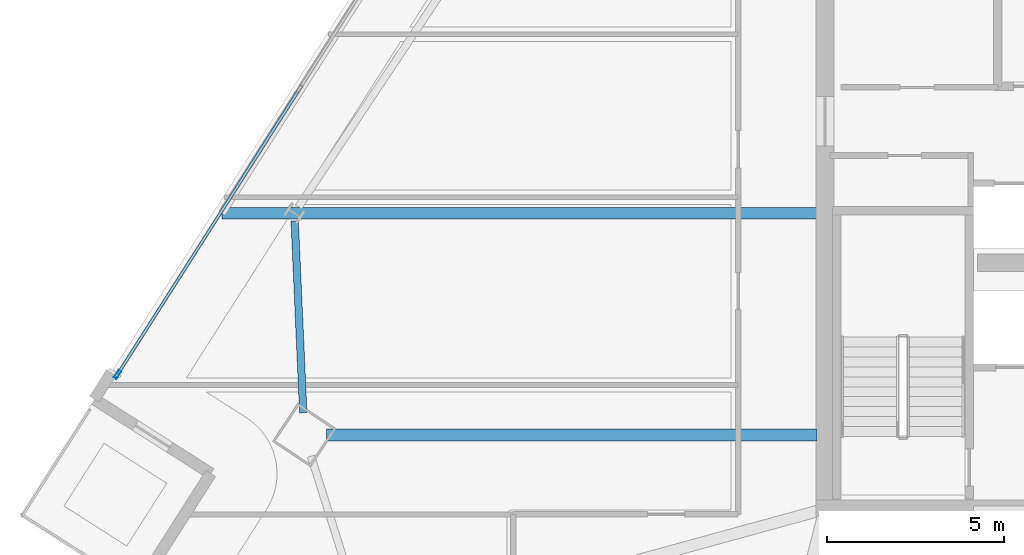
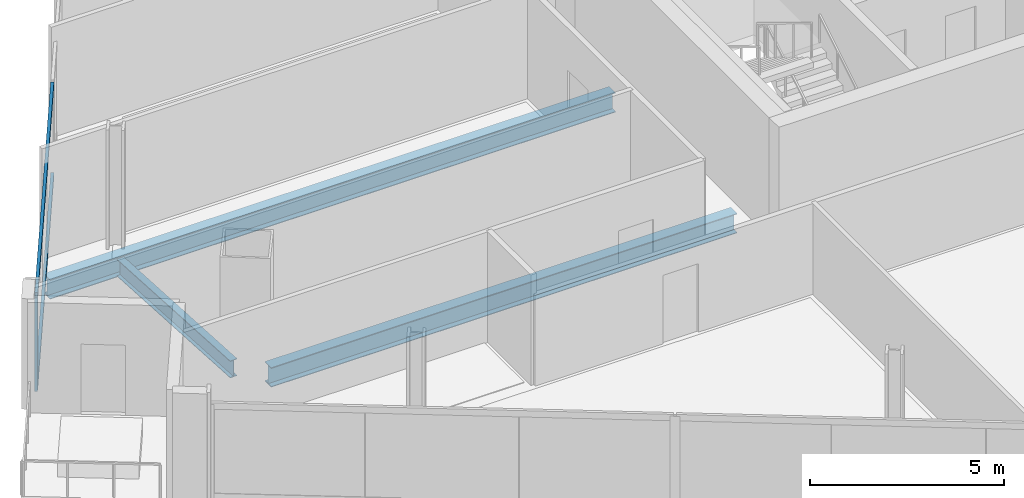
# One storey, part 6 of 30: 3 beams, 3 members, 1 element without a shape of its own.
"""IFC4 building model written with IfcOpenShell, lengths in metres."""

from ifc_helpers import new_model, si_unit, direction, frame, origin, origin_2d, place, context, subcontext, project, spatial, hollow_rectangle, i_section, extrude, material, material_profile, profile_set, type_object, element, aggregate, save


model = new_model("IFC4")

# Units and contexts
model_context = context("Model", 3, precision=1e-05, world=origin(), true_north=direction((0.0, 1.0)))
body_context = subcontext(model_context, "Body", "Model", "MODEL_VIEW")
ifc_project = project(units=[si_unit("LENGTHUNIT", "METRE"), si_unit("AREAUNIT", "SQUARE_METRE"), si_unit("VOLUMEUNIT", "CUBIC_METRE"), si_unit("PLANEANGLEUNIT", "RADIAN"), si_unit("MASSUNIT", "GRAM", prefix="KILO")], contexts=[model_context])

# Site, building, storey
site_placement = place(None, origin())
site = spatial("IfcSite", under=ifc_project, at=site_placement, CompositionType="ELEMENT")
building_placement = place(site_placement, origin())
building = spatial("IfcBuilding", under=site, at=building_placement, Name="Haldenkirk Collegiate Tower", CompositionType="ELEMENT")
storey_placement = place(building_placement, frame((0.0, 0.0, 220.949951171875)))
storey = spatial("IfcBuildingStorey", under=building, at=storey_placement, Name="L55", CompositionType="ELEMENT", Elevation=220.949951171875)

# Beams
ifc_material_1 = material(Name="Steel ASTM A992 Grade 50", Category="steel")
ifc_material_profile_1 = material_profile(ifc_material_1, i_section(OverallWidth=0.324951171875, OverallDepth=0.615966796875, WebThickness=0.013916015625, FlangeThickness=0.021484375, at=origin_2d()), Name="W24X117")
ifc_profile_set_1 = profile_set([ifc_material_profile_1], Name="Steel ASTM A992 Grade 50")
beam_type_1 = type_object("IfcBeamType", Name="BM-GIRDER-W24X117", PredefinedType="BEAM", material=ifc_profile_set_1)
beam_1_placement = place(storey_placement, frame((12.9345703125, 20.089599609375, -0.587890625), z_axis=(1.0, 0.0, 0.0), x_axis=(0.0, 1.0, 0.0)))
element("IfcBeam", 1, at=beam_1_placement, inside=storey, type_object=beam_type_1, Name="L55 primary floor girder 04", PredefinedType="BEAM", context=body_context, shape_type="SweptSolid", body=[
    extrude(i_section(OverallWidth=0.324951171875, OverallDepth=0.615966796875, WebThickness=0.013916015625, FlangeThickness=0.021484375, at=origin_2d()), origin(), (0.0, 0.0, 1.0), 13.83544921875),
])
beam_2_placement = place(storey_placement, frame((9.981689453125, 26.34716796875, -0.587890625), z_axis=(1.0, 0.0, 0.0), x_axis=(0.0, 1.0, 0.0)))
element("IfcBeam", 2, at=beam_2_placement, inside=storey, type_object=beam_type_1, Name="L55 primary floor girder 13", PredefinedType="BEAM", context=body_context, shape_type="SweptSolid", body=[
    extrude(i_section(OverallWidth=0.324951171875, OverallDepth=0.615966796875, WebThickness=0.013916015625, FlangeThickness=0.021484375, at=origin_2d()), origin(), (0.0, 0.0, 1.0), 16.788330078125),
])
ifc_material_profile_2 = material_profile(ifc_material_1, i_section(OverallWidth=0.2099609375, OverallDepth=0.537109375, WebThickness=0.010986328125, FlangeThickness=0.017333984375, at=origin_2d()), Name="W21X68")
ifc_profile_set_2 = profile_set([ifc_material_profile_2], Name="Steel ASTM A992 Grade 50")
beam_type_2 = type_object("IfcBeamType", Name="BM-SPANDREL-W21X68", PredefinedType="SPANDREL", material=ifc_profile_set_2)
beam_3_placement = place(storey_placement, frame((12.034912109375, 26.13037109375, -0.54833984375), z_axis=(0.044620526426, -0.999004008311, 0.0), x_axis=(0.999004008311, 0.044620526426, 0.0)))
element("IfcBeam", 3, at=beam_3_placement, inside=storey, type_object=beam_type_2, Name="L55 perimeter spandrel beam 12", PredefinedType="SPANDREL", context=body_context, shape_type="SweptSolid", body=[
    extrude(i_section(OverallWidth=0.2099609375, OverallDepth=0.537109375, WebThickness=0.010986328125, FlangeThickness=0.017333984375, at=origin_2d()), origin(), (0.0, 0.0, 1.0), 5.416748046875),
])

# Curtain wall, members
ifc_material_2 = material(Name="Anodised architectural bronze aluminium", Category="aluminium")
curtain_wall_type = type_object("IfcCurtainWallType", Name="CW-SYS1B-CONVEX-HI", PredefinedType="USERDEFINED", material=ifc_material_2)
curtain_wall_placement = place(storey_placement, origin())
curtain_wall = element("IfcCurtainWall", 4, at=curtain_wall_placement, inside=storey, type_object=curtain_wall_type, Name="L55 Upper tower high-wind convex bronze unitised curtain wall", ObjectType="UNITISED CURTAIN WALL", PredefinedType="USERDEFINED")
ifc_material_profile_3 = material_profile(ifc_material_2, hollow_rectangle(XDim=0.0849609375, YDim=0.25, WallThickness=0.0048828125, at=origin_2d()), Name="CW-MUL-1B")
ifc_profile_set_3 = profile_set([ifc_material_profile_3], Name="Anodised architectural bronze aluminium")
member_type_1 = type_object("IfcMemberType", Name="CW-MUL-1B", PredefinedType="MULLION", material=ifc_profile_set_3)
member_1_placement = place(storey_placement, frame((7.03564453125, 21.796875, 0.0), z_axis=(0.0, 0.0, 1.0), x_axis=(-0.843390453731, 0.5373011656, 0.0)))
member_1 = element("IfcMember", 5, at=member_1_placement, type_object=member_type_1, Name="CW-1B mullion 1", PredefinedType="MULLION", context=body_context, shape_type="SweptSolid", body=[
    extrude(hollow_rectangle(XDim=0.0849609375, YDim=0.25, WallThickness=0.0048828125, at=origin_2d()), origin(), (0.0, 0.0, 1.0), 2.927978515625),
])
ifc_material_profile_4 = material_profile(ifc_material_2, hollow_rectangle(XDim=0.0849609375, YDim=0.199951171875, WallThickness=0.0048828125, at=origin_2d()), Name="CW-TRN-1B")
ifc_profile_set_4 = profile_set([ifc_material_profile_4], Name="Anodised architectural bronze aluminium")
member_type_2 = type_object("IfcMemberType", Name="CW-TRN-1B", PredefinedType="USERDEFINED", material=ifc_profile_set_4)
member_2_placement = place(storey_placement, frame((7.058349609375, 21.832763671875, 0.04248046875), z_axis=(0.537310177236, 0.843384712595, 0.0), x_axis=(-0.843384712595, 0.537310177236, 0.0)))
member_2 = element("IfcMember", 6, at=member_2_placement, type_object=member_type_2, Name="CW-1B transom 1.1", ObjectType="TRANSOM", PredefinedType="USERDEFINED", context=body_context, shape_type="SweptSolid", body=[
    extrude(hollow_rectangle(XDim=0.0849609375, YDim=0.199951171875, WallThickness=0.0048828125, at=origin_2d()), origin(), (0.0, 0.0, 1.0), 9.447265625),
])
member_3_placement = place(storey_placement, frame((7.058349609375, 21.832763671875, 2.885498046875), z_axis=(0.537310177236, 0.843384712595, 0.0), x_axis=(-0.843384712595, 0.537310177236, 0.0)))
member_3 = element("IfcMember", 7, at=member_3_placement, type_object=member_type_2, Name="CW-1B transom 1.2", ObjectType="TRANSOM", PredefinedType="USERDEFINED", context=body_context, shape_type="SweptSolid", body=[
    extrude(hollow_rectangle(XDim=0.0849609375, YDim=0.199951171875, WallThickness=0.0048828125, at=origin_2d()), origin(), (0.0, 0.0, 1.0), 9.447265625),
])
aggregate(curtain_wall, [member_1, member_2, member_3])

save(model, "model.ifc")
